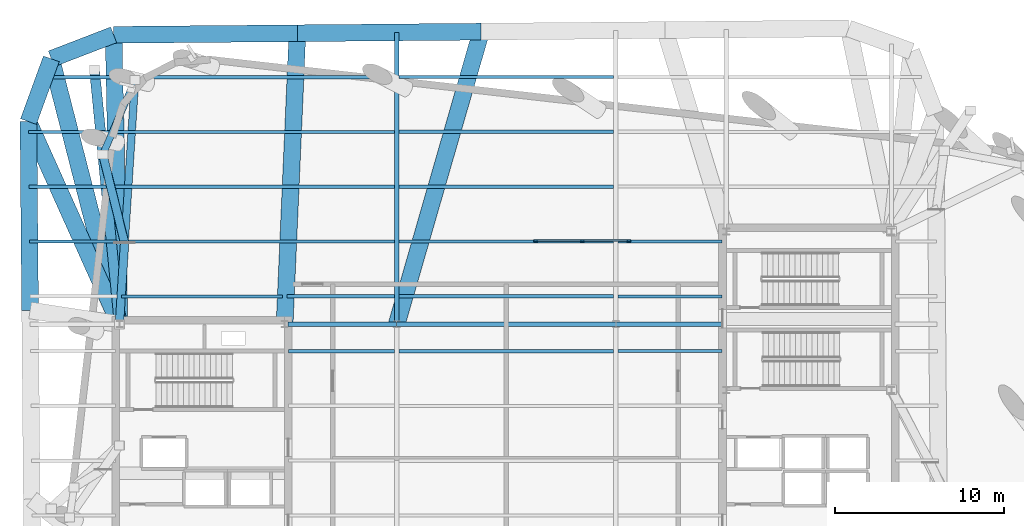
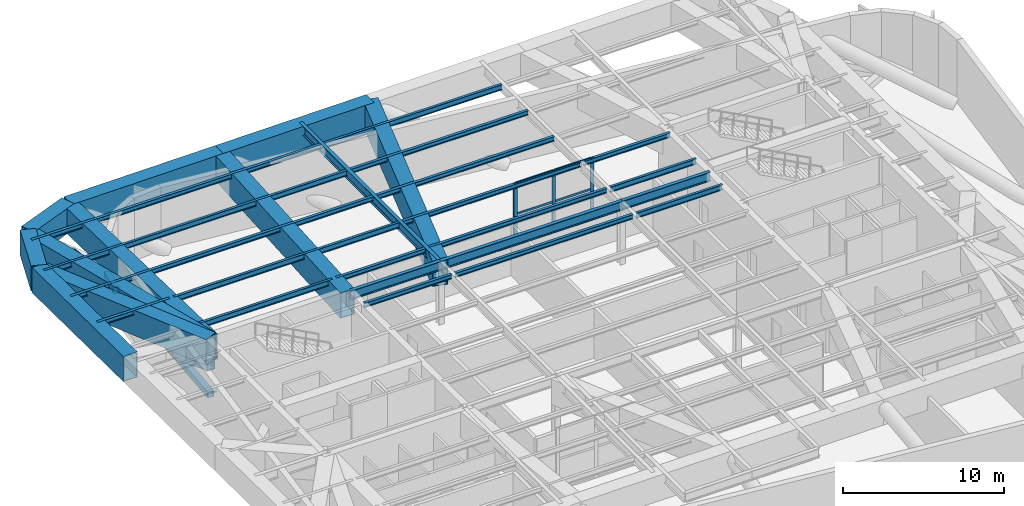
# One storey, part 5 of 12: 31 beams, 14 members, 1 element without a shape of its own.
"""IFC4 building model written with IfcOpenShell, lengths in metres."""

import ifcopenshell
import ifcopenshell.guid

model = None  # the IFC model being written
_history = None  # IfcOwnerHistory: only IFC2X3 demands one
_inside = {}  # id of a spatial element -> (the spatial element, [elements in it])
_under = {}  # id of a project, library or spatial element -> (it, [spatial elements below it])
_declared = {}  # id of a project -> (the project, [libraries it declares])
_typed = {}  # id of a type object -> (the type object, [elements of that type])
_made_of = {}  # id of a material, layer set ... -> (it, [elements and type objects made of it])


def new_model(schema):
    """Start an empty IFC model of exactly this schema.

    Asked for "IFC4X3", IfcOpenShell would pick the latest addendum, in which some entities
    have other attributes; the version numbers below select the first issue.
    IFC2X3 requires an IfcOwnerHistory on every rooted entity: one is made here for all.
    """
    global model, _history
    if schema == "IFC4X3":
        model = ifcopenshell.file(schema_version=(4, 3, 0, 0))
    else:
        model = ifcopenshell.file(schema=schema)
    _inside.clear()
    _under.clear()
    _declared.clear()
    _typed.clear()
    _made_of.clear()
    _history = None
    if model.schema == "IFC2X3":
        org = make("IfcOrganization", Name="unknown")
        user = make(
            "IfcPersonAndOrganization",
            ThePerson=make("IfcPerson", FamilyName="unknown"),
            TheOrganization=org,
        )
        app = make(
            "IfcApplication",
            ApplicationDeveloper=org,
            Version="unknown",
            ApplicationFullName="unknown",
            ApplicationIdentifier="unknown",
        )
        _history = make(
            "IfcOwnerHistory",
            OwningUser=user,
            OwningApplication=app,
            ChangeAction="ADDED",
            CreationDate=0,
        )
    return model


def make(cls, **values):
    """One entity of the class cls with the attributes given. An attribute that is None is left unset."""
    return model.create_entity(
        cls, **{name: value for name, value in values.items() if value is not None}
    )


def rooted(cls, **values):
    """An entity with a GlobalId (a new one), such as an element, a storey or a relation."""
    return make(cls, GlobalId=ifcopenshell.guid.new(), OwnerHistory=_history, **values)


def si_unit(unit_type, name, prefix=None):
    """IfcSIUnit, for example si_unit("LENGTHUNIT", "METRE", prefix="MILLI")."""
    return make("IfcSIUnit", UnitType=unit_type, Prefix=prefix, Name=name)


def assignment(units):
    """IfcUnitAssignment: the units of a project."""
    return None if units is None else make("IfcUnitAssignment", Units=units)


def point(xyz):
    """IfcCartesianPoint."""
    return None if xyz is None else make("IfcCartesianPoint", Coordinates=xyz)


def direction(xyz):
    """IfcDirection."""
    return None if xyz is None else make("IfcDirection", DirectionRatios=xyz)


def frame(location, z_axis=None, x_axis=None):
    """IfcAxis2Placement3D, a coordinate frame: its origin and axes. An axis left out is left unset."""
    return make(
        "IfcAxis2Placement3D",
        Location=point(location),
        Axis=direction(z_axis),
        RefDirection=direction(x_axis),
    )


def frame_2d(location, x_axis=None):
    """IfcAxis2Placement2D, a coordinate frame in the plane: its origin and x axis."""
    return make(
        "IfcAxis2Placement2D", Location=point(location), RefDirection=direction(x_axis)
    )


def origin():
    """The frame at (0, 0, 0) with its axes left unset."""
    return frame((0.0, 0.0, 0.0))


def origin_2d():
    """The frame at (0, 0) in the plane with its x axis left unset."""
    return frame_2d((0.0, 0.0))


def place(relative_to, where):
    """IfcLocalPlacement: puts the frame where relative to a parent placement (None: the world)."""
    return make(
        "IfcLocalPlacement", PlacementRelTo=relative_to, RelativePlacement=where
    )


def context(
    kind, dimensions, precision=None, world=None, true_north=None, identifier=None
):
    """IfcGeometricRepresentationContext, for example the 3D "Model" context."""
    return make(
        "IfcGeometricRepresentationContext",
        ContextIdentifier=identifier,
        ContextType=kind,
        CoordinateSpaceDimension=dimensions,
        Precision=precision,
        WorldCoordinateSystem=world,
        TrueNorth=true_north,
    )


def subcontext(parent, identifier, kind, view, scale=None):
    """IfcGeometricRepresentationSubContext, for example "Body" below "Model"."""
    return make(
        "IfcGeometricRepresentationSubContext",
        ContextIdentifier=identifier,
        ContextType=kind,
        ParentContext=parent,
        TargetScale=scale,
        TargetView=view,
    )


def project(units=None, contexts=None):
    """IfcProject with its units and contexts."""
    return rooted(
        "IfcProject",
        Name="project",
        RepresentationContexts=contexts,
        UnitsInContext=assignment(units),
    )


def spatial(cls, under=None, at=None, **own):
    """A site, building, storey or space (cls), placed at a placement, below another one or the project."""
    s = rooted(cls, ObjectPlacement=at, **own)
    if under is not None:
        _under.setdefault(under.id(), (under, []))[1].append(s)
    return s


def profile(cls, at=None, kind="AREA", **sizes):
    """A parametric profile (cls). Its sizes go by their IFC names, for example OverallWidth=200.0."""
    return make(cls, ProfileType=kind, Position=at, **sizes)


def rectangle(**sizes):
    """IfcRectangleProfileDef."""
    return profile("IfcRectangleProfileDef", **sizes)


def hollow_rectangle(**sizes):
    """IfcRectangleHollowProfileDef."""
    return profile("IfcRectangleHollowProfileDef", **sizes)


def hollow_circle(**sizes):
    """IfcCircleHollowProfileDef."""
    return profile("IfcCircleHollowProfileDef", **sizes)


def i_section(**sizes):
    """IfcIShapeProfileDef."""
    return profile("IfcIShapeProfileDef", **sizes)


def extrude(swept, where, along, depth):
    """IfcExtrudedAreaSolid: the profile swept, set in the frame where, extruded along a direction by depth."""
    return make(
        "IfcExtrudedAreaSolid",
        SweptArea=swept,
        Position=where,
        ExtrudedDirection=direction(along),
        Depth=depth,
    )


def shape(context_of_items, identifier, shape_type, items):
    """IfcShapeRepresentation: the items that make up one representation, for example the "Body"."""
    return make(
        "IfcShapeRepresentation",
        ContextOfItems=context_of_items,
        RepresentationIdentifier=identifier,
        RepresentationType=shape_type,
        Items=items,
    )


def material(Name=None, Category=None):
    """IfcMaterial."""
    return make("IfcMaterial", Name=Name, Category=Category)


def material_profile(
    of_material, cross_section, Name=None, Category=None, Priority=None
):
    """IfcMaterialProfile: a cross section and its material."""
    return make(
        "IfcMaterialProfile",
        Name=Name,
        Material=of_material,
        Profile=cross_section,
        Priority=Priority,
        Category=Category,
    )


def profile_set(profiles, Name=None, composite=None):
    """IfcMaterialProfileSet."""
    return make(
        "IfcMaterialProfileSet",
        Name=Name,
        MaterialProfiles=profiles,
        CompositeProfile=composite,
    )


def made_of(thing, what):
    """Note that an element or type object is made of a material, layer set ...; save() writes the relation."""
    if what is not None:
        _made_of.setdefault(what.id(), (what, []))[1].append(thing)
    return thing


def type_object(cls, material=None, **own):
    """A type object (cls), such as IfcWallType, which elements share."""
    return made_of(rooted(cls, **own), material)


def element(
    cls,
    number,
    at=None,
    inside=None,
    cuts=None,
    type_object=None,
    material=None,
    context=None,
    identifier="Body",
    shape_type=None,
    held_by="IfcProductDefinitionShape",
    body=None,
    shapes=None,
    **own,
):
    """One element of the class cls, such as IfcWall. Its Tag is "e" and its number.

    at: its placement. inside: the storey or other place that contains it. cuts: it is an
    opening in that element (IfcRelVoidsElement). A single representation is given by context,
    identifier, shape_type and body (its items); several are given by shapes. held_by: the class
    of the entity that holds the representations. save() writes the other relations.
    """
    e = rooted(cls, Tag="e%d" % number, ObjectPlacement=at, **own)
    if body is not None:
        shapes = [shape(context, identifier, shape_type, body)]
    if shapes is not None:
        e.Representation = make(held_by, Representations=shapes)
    if inside is not None:
        _inside.setdefault(inside.id(), (inside, []))[1].append(e)
    if cuts is not None:
        rooted(
            "IfcRelVoidsElement", RelatingBuildingElement=cuts, RelatedOpeningElement=e
        )
    if type_object is not None:
        _typed.setdefault(type_object.id(), (type_object, []))[1].append(e)
    return made_of(e, material)


def aggregate(whole, parts):
    """IfcRelAggregates: a whole, such as a stair, and the parts it consists of."""
    return rooted("IfcRelAggregates", RelatingObject=whole, RelatedObjects=parts)


def save(model, path):
    """Write the relations noted so far, then the file.

    IfcRelAggregates (storeys below a building ...), IfcRelContainedInSpatialStructure (elements
    in a storey), IfcRelDefinesByType, IfcRelAssociatesMaterial and IfcRelDeclares: one each for
    every whole, place, type object, material and project.
    """
    for whole, parts in _under.values():
        aggregate(whole, parts)
    for where, things in _inside.values():
        rooted(
            "IfcRelContainedInSpatialStructure",
            RelatedElements=things,
            RelatingStructure=where,
        )
    for kind, things in _typed.values():
        rooted("IfcRelDefinesByType", RelatedObjects=things, RelatingType=kind)
    for what, things in _made_of.values():
        rooted("IfcRelAssociatesMaterial", RelatedObjects=things, RelatingMaterial=what)
    for by, libraries in _declared.values():
        rooted("IfcRelDeclares", RelatingContext=by, RelatedDefinitions=libraries)
    model.write(path)


model = new_model("IFC4")

# Units and contexts
model_context = context("Model", 3, precision=1e-05, world=origin(), true_north=direction((0.0, 1.0)))
body_context = subcontext(model_context, "Body", "Model", "MODEL_VIEW")
ifc_project = project(units=[si_unit("LENGTHUNIT", "METRE"), si_unit("AREAUNIT", "SQUARE_METRE"), si_unit("VOLUMEUNIT", "CUBIC_METRE"), si_unit("PLANEANGLEUNIT", "RADIAN"), si_unit("MASSUNIT", "GRAM", prefix="KILO")], contexts=[model_context])

# Site, building, storey
site_placement = place(None, origin())
site = spatial("IfcSite", under=ifc_project, at=site_placement, CompositionType="ELEMENT")
building_placement = place(site_placement, origin())
building = spatial("IfcBuilding", under=site, at=building_placement, Name="Kolvaren Arena Tower", CompositionType="ELEMENT")
storey_placement = place(building_placement, frame((0.0, 0.0, 269.699951171875)))
storey = spatial("IfcBuildingStorey", under=building, at=storey_placement, Name="L66", CompositionType="ELEMENT", Elevation=269.699951171875)

# Beams
ifc_material_1 = material(Name="Steel CSA G40.21 350W", Category="steel")
ifc_material_profile_1 = material_profile(ifc_material_1, i_section(OverallWidth=0.180908203125, OverallDepth=0.4169921875, WebThickness=0.010986328125, FlangeThickness=0.018310546875, FilletRadius=0.011962890625, at=origin_2d()), Name="W410x85")
ifc_profile_set_1 = profile_set([ifc_material_profile_1], Name="Steel CSA G40.21 350W")
beam_type_1 = type_object("IfcBeamType", Name="BEAM-F3", PredefinedType="BEAM", material=ifc_profile_set_1)
beam_1_placement = place(storey_placement, frame((44.12744140625, 32.25, 4.54150390625), z_axis=(1.0, 0.0, 0.0), x_axis=(0.0, 1.0, 0.0)))
element("IfcBeam", 1, at=beam_1_placement, inside=storey, type_object=beam_type_1, Name="Composite Floor Beam (L66)", PredefinedType="BEAM", context=body_context, shape_type="SweptSolid", body=[
    extrude(i_section(OverallWidth=0.180908203125, OverallDepth=0.4169921875, WebThickness=0.010986328125, FlangeThickness=0.018310546875, FilletRadius=0.011962890625, at=origin_2d()), origin(), (0.0, 0.0, 1.0), 6.177490234375),
])
beam_2_placement = place(storey_placement, frame((14.677490234375, 35.5, 4.54150390625), z_axis=(1.0, 0.0, 0.0), x_axis=(0.0, 1.0, 0.0)))
element("IfcBeam", 2, at=beam_2_placement, inside=storey, type_object=beam_type_1, Name="Composite Floor Beam (L66)", PredefinedType="BEAM", context=body_context, shape_type="SweptSolid", body=[
    extrude(i_section(OverallWidth=0.180908203125, OverallDepth=0.4169921875, WebThickness=0.010986328125, FlangeThickness=0.018310546875, FilletRadius=0.011962890625, at=origin_2d()), origin(), (0.0, 0.0, 1.0), 9.544921875),
])
beam_3_placement = place(storey_placement, frame((44.12744140625, 35.5, 4.54150390625), z_axis=(1.0, 0.0, 0.0), x_axis=(0.0, 1.0, 0.0)))
element("IfcBeam", 3, at=beam_3_placement, inside=storey, type_object=beam_type_1, Name="Composite Floor Beam (L66)", PredefinedType="BEAM", context=body_context, shape_type="SweptSolid", body=[
    extrude(i_section(OverallWidth=0.180908203125, OverallDepth=0.4169921875, WebThickness=0.010986328125, FlangeThickness=0.018310546875, FilletRadius=0.011962890625, at=origin_2d()), origin(), (0.0, 0.0, 1.0), 6.177490234375),
])
beam_4_placement = place(storey_placement, frame((14.677490234375, 38.75, 4.54150390625), z_axis=(1.0, 0.0, 0.0), x_axis=(0.0, 1.0, 0.0)))
element("IfcBeam", 4, at=beam_4_placement, inside=storey, type_object=beam_type_1, Name="Composite Floor Beam (L66)", PredefinedType="BEAM", context=body_context, shape_type="SweptSolid", body=[
    extrude(i_section(OverallWidth=0.180908203125, OverallDepth=0.4169921875, WebThickness=0.010986328125, FlangeThickness=0.018310546875, FilletRadius=0.011962890625, at=origin_2d()), origin(), (0.0, 0.0, 1.0), 16.195068359375),
])
beam_5_placement = place(storey_placement, frame((9.159912109375, 45.25, 4.54150390625), z_axis=(1.0, 0.0, 0.0), x_axis=(0.0, 1.0, 0.0)))
element("IfcBeam", 5, at=beam_5_placement, inside=storey, type_object=beam_type_1, Name="Composite Floor Beam (L66)", PredefinedType="BEAM", context=body_context, shape_type="SweptSolid", body=[
    extrude(i_section(OverallWidth=0.180908203125, OverallDepth=0.4169921875, WebThickness=0.010986328125, FlangeThickness=0.018310546875, FilletRadius=0.011962890625, at=origin_2d()), origin(), (0.0, 0.0, 1.0), 21.712646484375),
])
beam_6_placement = place(storey_placement, frame((31.12744140625, 48.5, 4.54150390625), z_axis=(1.0, 0.0, 0.0), x_axis=(0.0, 1.0, 0.0)))
element("IfcBeam", 6, at=beam_6_placement, inside=storey, type_object=beam_type_1, Name="Composite Floor Beam (L66)", PredefinedType="BEAM", context=body_context, shape_type="SweptSolid", body=[
    extrude(i_section(OverallWidth=0.180908203125, OverallDepth=0.4169921875, WebThickness=0.010986328125, FlangeThickness=0.018310546875, FilletRadius=0.011962890625, at=origin_2d()), origin(), (0.0, 0.0, 1.0), 12.7451171875),
])

# Members
ifc_material_2 = material(Name="Steel CSA G40.21 350WT", Category="steel")
ifc_material_profile_2 = material_profile(ifc_material_2, hollow_rectangle(XDim=0.449951171875, YDim=0.449951171875, WallThickness=0.02001953125, at=origin_2d()), Name="HSS 450x450x20")
ifc_profile_set_2 = profile_set([ifc_material_profile_2], Name="Steel CSA G40.21 350WT")
member_type_1 = type_object("IfcMemberType", Name="BELT-CHORD", PredefinedType="CHORD", material=ifc_profile_set_2)
member_1_placement = place(storey_placement, frame((14.550048828125, 33.85009765625, 0.35009765625), z_axis=(0.063940535064, 0.997953710337, 0.0), x_axis=(-0.997953710337, 0.063940535064, 0.0)))
element("IfcMember", 7, at=member_1_placement, inside=storey, type_object=member_type_1, Name="Belt Truss Bottom Chord 2 (L66)", PredefinedType="CHORD", context=body_context, shape_type="SweptSolid", body=[
    extrude(hollow_rectangle(XDim=0.449951171875, YDim=0.449951171875, WallThickness=0.02001953125, at=origin_2d()), origin(), (0.0, 0.0, 1.0), 14.505615234375),
])
ifc_material_profile_3 = material_profile(ifc_material_2, hollow_rectangle(XDim=0.39990234375, YDim=0.39990234375, WallThickness=0.01611328125, at=origin_2d()), Name="HSS 400x400x16")
ifc_profile_set_3 = profile_set([ifc_material_profile_3], Name="Steel CSA G40.21 350WT")
member_type_2 = type_object("IfcMemberType", Name="BELT-DIAG", PredefinedType="BRACE", material=ifc_profile_set_3)
member_2_placement = place(storey_placement, frame((13.566162109375, 43.906982421875, 2.47998046875), z_axis=(0.363056724509, 0.839357097153, -0.404560846164), x_axis=(-0.91782058451, 0.39699543404, 0.0)))
element("IfcMember", 8, at=member_2_placement, inside=storey, type_object=member_type_2, Name="Belt Truss Warren Diagonal C 2 (L66)", PredefinedType="BRACE", context=body_context, shape_type="SweptSolid", body=[
    extrude(hollow_rectangle(XDim=0.39990234375, YDim=0.39990234375, WallThickness=0.01611328125, at=origin_2d()), origin(), (0.0, 0.0, 1.0), 5.2646484375),
])

# Curtain wall, members
ifc_material_3 = material(Name="Anodised aluminium unitised curtain wall", Category="aluminium")
curtain_wall_type = type_object("IfcCurtainWallType", Name="CW-SYS-05", PredefinedType="USERDEFINED", material=ifc_material_3)
curtain_wall_placement = place(storey_placement, origin())
curtain_wall = element("IfcCurtainWall", 9, at=curtain_wall_placement, inside=storey, type_object=curtain_wall_type, Name="Mechanical Plant Louvre Curtain Wall (L66)", ObjectType="ACOUSTIC LOUVRE SCREEN", PredefinedType="USERDEFINED")
ifc_material_4 = material(Name="Anodised aluminium 6063-T6", Category="aluminium")
ifc_material_profile_4 = material_profile(ifc_material_4, rectangle(XDim=0.10009765625, YDim=0.239990234375, at=origin_2d()), Name="ALU-100x240")
ifc_profile_set_4 = profile_set([ifc_material_profile_4], Name="Anodised aluminium 6063-T6")
member_type_3 = type_object("IfcMemberType", Name="CWM-HVY", PredefinedType="MULLION", material=ifc_profile_set_4)
member_3_placement = place(storey_placement, frame((39.25, 38.800048828125, 0.0), z_axis=(0.0, 0.0, 1.0), x_axis=(0.0, 1.0, 0.0)))
member_3 = element("IfcMember", 10, at=member_3_placement, type_object=member_type_3, Name="CW5 mullion 1", PredefinedType="MULLION", context=body_context, shape_type="SweptSolid", body=[
    extrude(rectangle(XDim=0.10009765625, YDim=0.239990234375, at=origin_2d()), origin(), (0.0, 0.0, 1.0), 4.75),
])
member_4_placement = place(storey_placement, frame((42.0, 38.800048828125, 0.0), z_axis=(0.0, 0.0, 1.0), x_axis=(0.0, 1.0, 0.0)))
member_4 = element("IfcMember", 11, at=member_4_placement, type_object=member_type_3, Name="CW5 mullion 2", PredefinedType="MULLION", context=body_context, shape_type="SweptSolid", body=[
    extrude(rectangle(XDim=0.10009765625, YDim=0.239990234375, at=origin_2d()), origin(), (0.0, 0.0, 1.0), 4.75),
])
member_5_placement = place(storey_placement, frame((44.75, 38.800048828125, 0.0), z_axis=(0.0, 0.0, 1.0), x_axis=(0.0, 1.0, 0.0)))
member_5 = element("IfcMember", 12, at=member_5_placement, type_object=member_type_3, Name="CW5 mullion 3", PredefinedType="MULLION", context=body_context, shape_type="SweptSolid", body=[
    extrude(rectangle(XDim=0.10009765625, YDim=0.239990234375, at=origin_2d()), origin(), (0.0, 0.0, 1.0), 4.75),
])
ifc_material_profile_5 = material_profile(ifc_material_4, rectangle(XDim=0.080078125, YDim=0.14990234375, at=origin_2d()), Name="ALU-80x150")
ifc_profile_set_5 = profile_set([ifc_material_profile_5], Name="Anodised aluminium 6063-T6")
member_type_4 = type_object("IfcMemberType", Name="CWT-STD", PredefinedType="USERDEFINED", material=ifc_profile_set_5)
member_6_placement = place(storey_placement, frame((39.300048828125, 38.800048828125, 0.0400390625), z_axis=(1.0, 0.0, 0.0), x_axis=(0.0, 1.0, 0.0)))
member_6 = element("IfcMember", 13, at=member_6_placement, type_object=member_type_4, Name="CW5 transom 1.1", ObjectType="TRANSOM", PredefinedType="USERDEFINED", context=body_context, shape_type="SweptSolid", body=[
    extrude(rectangle(XDim=0.080078125, YDim=0.14990234375, at=origin_2d()), origin(), (0.0, 0.0, 1.0), 2.64990234375),
])
member_7_placement = place(storey_placement, frame((39.300048828125, 38.800048828125, 2.375), z_axis=(1.0, 0.0, 0.0), x_axis=(0.0, 1.0, 0.0)))
member_7 = element("IfcMember", 14, at=member_7_placement, type_object=member_type_4, Name="CW5 transom 1.2", ObjectType="TRANSOM", PredefinedType="USERDEFINED", context=body_context, shape_type="SweptSolid", body=[
    extrude(rectangle(XDim=0.080078125, YDim=0.14990234375, at=origin_2d()), origin(), (0.0, 0.0, 1.0), 2.64990234375),
])
member_8_placement = place(storey_placement, frame((39.300048828125, 38.800048828125, 4.7099609375), z_axis=(1.0, 0.0, 0.0), x_axis=(0.0, 1.0, 0.0)))
member_8 = element("IfcMember", 15, at=member_8_placement, type_object=member_type_4, Name="CW5 transom 1.3", ObjectType="TRANSOM", PredefinedType="USERDEFINED", context=body_context, shape_type="SweptSolid", body=[
    extrude(rectangle(XDim=0.080078125, YDim=0.14990234375, at=origin_2d()), origin(), (0.0, 0.0, 1.0), 2.64990234375),
])
member_9_placement = place(storey_placement, frame((42.050048828125, 38.800048828125, 0.0400390625), z_axis=(1.0, 0.0, 0.0), x_axis=(0.0, 1.0, 0.0)))
member_9 = element("IfcMember", 16, at=member_9_placement, type_object=member_type_4, Name="CW5 transom 2.1", ObjectType="TRANSOM", PredefinedType="USERDEFINED", context=body_context, shape_type="SweptSolid", body=[
    extrude(rectangle(XDim=0.080078125, YDim=0.14990234375, at=origin_2d()), origin(), (0.0, 0.0, 1.0), 2.64990234375),
])
member_10_placement = place(storey_placement, frame((42.050048828125, 38.800048828125, 2.375), z_axis=(1.0, 0.0, 0.0), x_axis=(0.0, 1.0, 0.0)))
member_10 = element("IfcMember", 17, at=member_10_placement, type_object=member_type_4, Name="CW5 transom 2.2", ObjectType="TRANSOM", PredefinedType="USERDEFINED", context=body_context, shape_type="SweptSolid", body=[
    extrude(rectangle(XDim=0.080078125, YDim=0.14990234375, at=origin_2d()), origin(), (0.0, 0.0, 1.0), 2.64990234375),
])
member_11_placement = place(storey_placement, frame((42.050048828125, 38.800048828125, 4.7099609375), z_axis=(1.0, 0.0, 0.0), x_axis=(0.0, 1.0, 0.0)))
member_11 = element("IfcMember", 18, at=member_11_placement, type_object=member_type_4, Name="CW5 transom 2.3", ObjectType="TRANSOM", PredefinedType="USERDEFINED", context=body_context, shape_type="SweptSolid", body=[
    extrude(rectangle(XDim=0.080078125, YDim=0.14990234375, at=origin_2d()), origin(), (0.0, 0.0, 1.0), 2.64990234375),
])
aggregate(curtain_wall, [member_3, member_4, member_5, member_6, member_7, member_8, member_9, member_10, member_11])

# Member
ifc_material_profile_6 = material_profile(ifc_material_2, hollow_circle(Radius=0.25390625, WallThickness=0.02490234375, at=origin_2d()), Name="CHS 508x25")
ifc_profile_set_6 = profile_set([ifc_material_profile_6], Name="Steel CSA G40.21 350WT")
member_type_5 = type_object("IfcMemberType", Name="EXO-BRACE1", PredefinedType="BRACE", material=ifc_profile_set_6)
member_12_placement = place(storey_placement, frame((14.859130859375, 38.67529296875, 0.35009765625), z_axis=(-0.223128891482, 0.902837805056, 0.367555976075), x_axis=(-0.97079187711, -0.239923177991, 0.0)))
element("IfcMember", 19, at=member_12_placement, inside=storey, type_object=member_type_5, Name="Outrigger Warren Diagonal B 2 (L66)", PredefinedType="BRACE", context=body_context, shape_type="SweptSolid", body=[
    extrude(hollow_circle(Radius=0.25390625, WallThickness=0.02490234375, at=origin_2d()), origin(), (0.0, 0.0, 1.0), 5.794677734375),
])

# Beams
ifc_material_profile_7 = material_profile(ifc_material_1, i_section(OverallWidth=0.2548828125, OverallDepth=0.695068359375, WebThickness=0.01708984375, FlangeThickness=0.02978515625, FilletRadius=0.01611328125, at=origin_2d()), Name="W690x217")
ifc_profile_set_7 = profile_set([ifc_material_profile_7], Name="Steel CSA G40.21 350W")
beam_type_2 = type_object("IfcBeamType", Name="GIRD-T2", PredefinedType="BEAM", material=ifc_profile_set_7)
beam_7_placement = place(storey_placement, frame((24.554931640625, 33.85009765625, 4.402587890625), z_axis=(1.0, 0.0, 0.0), x_axis=(0.0, 1.0, 0.0)))
element("IfcBeam", 20, at=beam_7_placement, inside=storey, type_object=beam_type_2, Name="Primary Floor Girder (L66)", PredefinedType="BEAM", context=body_context, shape_type="SweptSolid", body=[
    extrude(i_section(OverallWidth=0.2548828125, OverallDepth=0.695068359375, WebThickness=0.01708984375, FlangeThickness=0.02978515625, FilletRadius=0.01611328125, at=origin_2d()), origin(), (0.0, 0.0, 1.0), 6.445068359375),
])
beam_8_placement = place(storey_placement, frame((31.0, 33.85009765625, 4.402587890625), z_axis=(1.0, 0.0, 0.0), x_axis=(0.0, 1.0, 0.0)))
element("IfcBeam", 21, at=beam_8_placement, inside=storey, type_object=beam_type_2, Name="Primary Floor Girder (L66)", PredefinedType="BEAM", context=body_context, shape_type="SweptSolid", body=[
    extrude(i_section(OverallWidth=0.2548828125, OverallDepth=0.695068359375, WebThickness=0.01708984375, FlangeThickness=0.02978515625, FilletRadius=0.01611328125, at=origin_2d()), origin(), (0.0, 0.0, 1.0), 13.0),
])
beam_9_placement = place(storey_placement, frame((44.0, 33.85009765625, 4.402587890625), z_axis=(1.0, 0.0, 0.0), x_axis=(0.0, 1.0, 0.0)))
element("IfcBeam", 22, at=beam_9_placement, inside=storey, type_object=beam_type_2, Name="Primary Floor Girder (L66)", PredefinedType="BEAM", context=body_context, shape_type="SweptSolid", body=[
    extrude(i_section(OverallWidth=0.2548828125, OverallDepth=0.695068359375, WebThickness=0.01708984375, FlangeThickness=0.02978515625, FilletRadius=0.01611328125, at=origin_2d()), origin(), (0.0, 0.0, 1.0), 6.344970703125),
])
beam_10_placement = place(storey_placement, frame((31.0, 33.85009765625, 4.402587890625), z_axis=(0.0, 1.0, 0.0), x_axis=(-1.0, 0.0, 0.0)))
element("IfcBeam", 23, at=beam_10_placement, inside=storey, type_object=beam_type_2, Name="Primary Floor Girder (L66)", PredefinedType="BEAM", context=body_context, shape_type="SweptSolid", body=[
    extrude(i_section(OverallWidth=0.2548828125, OverallDepth=0.695068359375, WebThickness=0.01708984375, FlangeThickness=0.02978515625, FilletRadius=0.01611328125, at=origin_2d()), origin(), (0.0, 0.0, 1.0), 17.305419921875),
])
ifc_material_profile_8 = material_profile(ifc_material_1, i_section(OverallWidth=0.202880859375, OverallDepth=0.346923828125, WebThickness=0.0078125, FlangeThickness=0.013427734375, FilletRadius=0.010986328125, at=origin_2d()), Name="W360x64")
ifc_profile_set_8 = profile_set([ifc_material_profile_8], Name="Steel CSA G40.21 350W")
beam_type_3 = type_object("IfcBeamType", Name="JOIST-01", PredefinedType="JOIST", material=ifc_profile_set_8)
beam_11_placement = place(storey_placement, frame((24.594970703125, 32.25, 4.57666015625), z_axis=(1.0, 0.0, 0.0), x_axis=(0.0, 1.0, 0.0)))
element("IfcBeam", 24, at=beam_11_placement, inside=storey, type_object=beam_type_3, Name="Composite Floor Joist (L66)", PredefinedType="JOIST", context=body_context, shape_type="SweptSolid", body=[
    extrude(i_section(OverallWidth=0.202880859375, OverallDepth=0.346923828125, WebThickness=0.0078125, FlangeThickness=0.013427734375, FilletRadius=0.010986328125, at=origin_2d()), origin(), (0.0, 0.0, 1.0), 6.277587890625),
])
beam_12_placement = place(storey_placement, frame((31.12744140625, 32.25, 4.57666015625), z_axis=(1.0, 0.0, 0.0), x_axis=(0.0, 1.0, 0.0)))
element("IfcBeam", 25, at=beam_12_placement, inside=storey, type_object=beam_type_3, Name="Composite Floor Joist (L66)", PredefinedType="JOIST", context=body_context, shape_type="SweptSolid", body=[
    extrude(i_section(OverallWidth=0.202880859375, OverallDepth=0.346923828125, WebThickness=0.0078125, FlangeThickness=0.013427734375, FilletRadius=0.010986328125, at=origin_2d()), origin(), (0.0, 0.0, 1.0), 12.7451171875),
])
beam_13_placement = place(storey_placement, frame((24.4775390625, 35.5, 4.57666015625), z_axis=(1.0, 0.0, 0.0), x_axis=(0.0, 1.0, 0.0)))
element("IfcBeam", 26, at=beam_13_placement, inside=storey, type_object=beam_type_3, Name="Composite Floor Joist (L66)", PredefinedType="JOIST", context=body_context, shape_type="SweptSolid", body=[
    extrude(i_section(OverallWidth=0.202880859375, OverallDepth=0.346923828125, WebThickness=0.0078125, FlangeThickness=0.013427734375, FilletRadius=0.010986328125, at=origin_2d()), origin(), (0.0, 0.0, 1.0), 6.39501953125),
])
beam_14_placement = place(storey_placement, frame((31.12744140625, 35.5, 4.57666015625), z_axis=(1.0, 0.0, 0.0), x_axis=(0.0, 1.0, 0.0)))
element("IfcBeam", 27, at=beam_14_placement, inside=storey, type_object=beam_type_3, Name="Composite Floor Joist (L66)", PredefinedType="JOIST", context=body_context, shape_type="SweptSolid", body=[
    extrude(i_section(OverallWidth=0.202880859375, OverallDepth=0.346923828125, WebThickness=0.0078125, FlangeThickness=0.013427734375, FilletRadius=0.010986328125, at=origin_2d()), origin(), (0.0, 0.0, 1.0), 12.7451171875),
])
beam_15_placement = place(storey_placement, frame((9.216552734375, 38.75, 4.57666015625), z_axis=(1.0, 0.0, 0.0), x_axis=(0.0, 1.0, 0.0)))
element("IfcBeam", 28, at=beam_15_placement, inside=storey, type_object=beam_type_3, Name="Composite Floor Joist (L66)", PredefinedType="JOIST", context=body_context, shape_type="SweptSolid", body=[
    extrude(i_section(OverallWidth=0.202880859375, OverallDepth=0.346923828125, WebThickness=0.0078125, FlangeThickness=0.013427734375, FilletRadius=0.010986328125, at=origin_2d()), origin(), (0.0, 0.0, 1.0), 5.2060546875),
])
beam_16_placement = place(storey_placement, frame((31.12744140625, 38.75, 4.57666015625), z_axis=(1.0, 0.0, 0.0), x_axis=(0.0, 1.0, 0.0)))
element("IfcBeam", 29, at=beam_16_placement, inside=storey, type_object=beam_type_3, Name="Composite Floor Joist (L66)", PredefinedType="JOIST", context=body_context, shape_type="SweptSolid", body=[
    extrude(i_section(OverallWidth=0.202880859375, OverallDepth=0.346923828125, WebThickness=0.0078125, FlangeThickness=0.013427734375, FilletRadius=0.010986328125, at=origin_2d()), origin(), (0.0, 0.0, 1.0), 12.7451171875),
])
beam_17_placement = place(storey_placement, frame((44.12744140625, 38.75, 4.57666015625), z_axis=(1.0, 0.0, 0.0), x_axis=(0.0, 1.0, 0.0)))
element("IfcBeam", 30, at=beam_17_placement, inside=storey, type_object=beam_type_3, Name="Composite Floor Joist (L66)", PredefinedType="JOIST", context=body_context, shape_type="SweptSolid", body=[
    extrude(i_section(OverallWidth=0.202880859375, OverallDepth=0.346923828125, WebThickness=0.0078125, FlangeThickness=0.013427734375, FilletRadius=0.010986328125, at=origin_2d()), origin(), (0.0, 0.0, 1.0), 6.177490234375),
])
beam_18_placement = place(storey_placement, frame((9.18798828125, 42.0, 4.57666015625), z_axis=(1.0, 0.0, 0.0), x_axis=(0.0, 1.0, 0.0)))
element("IfcBeam", 31, at=beam_18_placement, inside=storey, type_object=beam_type_3, Name="Composite Floor Joist (L66)", PredefinedType="JOIST", context=body_context, shape_type="SweptSolid", body=[
    extrude(i_section(OverallWidth=0.202880859375, OverallDepth=0.346923828125, WebThickness=0.0078125, FlangeThickness=0.013427734375, FilletRadius=0.010986328125, at=origin_2d()), origin(), (0.0, 0.0, 1.0), 21.6845703125),
])
for number, where, z_axis, x_axis, name in (
    (32, (31.12744140625, 42.0, 4.57666015625), (1.0, 0.0, 0.0), (0.0, 1.0, 0.0), "Composite Floor Joist (L66)"),
    (33, (31.12744140625, 45.25, 4.57666015625), (1.0, 0.0, 0.0), (0.0, 1.0, 0.0), "Composite Floor Joist (L66)"),
):
    element("IfcBeam", number, at=place(storey_placement, frame(where, z_axis=z_axis, x_axis=x_axis)), inside=storey, type_object=beam_type_3, Name=name, PredefinedType="JOIST", context=body_context, shape_type="SweptSolid", body=[
        extrude(i_section(OverallWidth=0.202880859375, OverallDepth=0.346923828125, WebThickness=0.0078125, FlangeThickness=0.013427734375, FilletRadius=0.010986328125, at=origin_2d()), origin(), (0.0, 0.0, 1.0), 12.7451171875),
    ])
beam_19_placement = place(storey_placement, frame((10.11669921875, 48.5, 4.57666015625), z_axis=(1.0, 0.0, 0.0), x_axis=(0.0, 1.0, 0.0)))
element("IfcBeam", 34, at=beam_19_placement, inside=storey, type_object=beam_type_3, Name="Composite Floor Joist (L66)", PredefinedType="JOIST", context=body_context, shape_type="SweptSolid", body=[
    extrude(i_section(OverallWidth=0.202880859375, OverallDepth=0.346923828125, WebThickness=0.0078125, FlangeThickness=0.013427734375, FilletRadius=0.010986328125, at=origin_2d()), origin(), (0.0, 0.0, 1.0), 20.755859375),
])

# Members
ifc_material_profile_9 = material_profile(ifc_material_2, hollow_rectangle(XDim=0.60009765625, YDim=0.60009765625, WallThickness=0.02490234375, at=origin_2d()), Name="HSS 600x600x25")
ifc_profile_set_9 = profile_set([ifc_material_profile_9], Name="Steel CSA G40.21 350WT")
member_type_6 = type_object("IfcMemberType", Name="OUT-CHORD", PredefinedType="CHORD", material=ifc_profile_set_9)
member_13_placement = place(storey_placement, frame((14.550048828125, 33.85009765625, 2.47998046875), z_axis=(-0.097366527544, 0.995248591717, 0.0), x_axis=(-0.995248591717, -0.097366527544, 0.0)))
element("IfcMember", 35, at=member_13_placement, inside=storey, type_object=member_type_6, Name="Outrigger Top Chord 2 (L66)", PredefinedType="CHORD", context=body_context, shape_type="SweptSolid", body=[
    extrude(hollow_rectangle(XDim=0.60009765625, YDim=0.60009765625, WallThickness=0.02490234375, at=origin_2d()), origin(), (0.0, 0.0, 1.0), 15.157470703125),
])
ifc_material_profile_10 = material_profile(ifc_material_2, hollow_rectangle(XDim=0.5, YDim=0.5, WallThickness=0.02197265625, at=origin_2d()), Name="HSS 500x500x22")
ifc_profile_set_10 = profile_set([ifc_material_profile_10], Name="Steel CSA G40.21 350WT")
member_type_7 = type_object("IfcMemberType", Name="OUT-DIAG", PredefinedType="BRACE", material=ifc_profile_set_10)
member_14_placement = place(storey_placement, frame((14.550048828125, 33.85009765625, 2.47998046875), z_axis=(0.058500459852, 0.913272581765, -0.403126391587), x_axis=(-0.997954715394, 0.063924846675, 0.0)))
element("IfcMember", 36, at=member_14_placement, inside=storey, type_object=member_type_7, Name="Outrigger Warren Diagonal A 2 (L66)", PredefinedType="BRACE", context=body_context, shape_type="SweptSolid", body=[
    extrude(hollow_rectangle(XDim=0.5, YDim=0.5, WallThickness=0.02197265625, at=origin_2d()), origin(), (0.0, 0.0, 1.0), 5.283447265625),
])

# Beams
ifc_material_profile_11 = material_profile(ifc_material_2, hollow_rectangle(XDim=1.0, YDim=1.919921875, WallThickness=0.044921875, at=origin_2d()), Name="BOX 1000x1920x45")
ifc_profile_set_11 = profile_set([ifc_material_profile_11], Name="Steel CSA G40.21 350WT")
beam_type_4 = type_object("IfcBeamType", Name="TG-MEGA", PredefinedType="USERDEFINED", material=ifc_profile_set_11)
beam_20_placement = place(storey_placement, frame((36.0087890625, 51.19921875, 3.7900390625), z_axis=(-0.999961845289, -0.008735443053, 0.0), x_axis=(0.008735443053, -0.999961845289, 0.0)))
element("IfcBeam", 37, at=beam_20_placement, inside=storey, type_object=beam_type_4, Name="Perimeter Transfer Ring Girder 14 (L66)", ObjectType="TRANSFER GIRDER", PredefinedType="USERDEFINED", context=body_context, shape_type="SweptSolid", body=[
    extrude(hollow_rectangle(XDim=1.0, YDim=1.919921875, WallThickness=0.044921875, at=origin_2d()), origin(), (0.0, 0.0, 1.0), 10.89990234375),
])
beam_21_placement = place(storey_placement, frame((36.0087890625, 51.19921875, 3.7900390625), z_axis=(-0.27737714955, -0.960761113341, 0.0), x_axis=(0.960761113341, -0.27737714955, 0.0)))
element("IfcBeam", 38, at=beam_21_placement, inside=storey, type_object=beam_type_4, Name="Cantilever Block Transfer Girder 14 (L66)", ObjectType="TRANSFER GIRDER", PredefinedType="USERDEFINED", context=body_context, shape_type="SweptSolid", body=[
    extrude(hollow_rectangle(XDim=1.0, YDim=1.919921875, WallThickness=0.044921875, at=origin_2d()), origin(), (0.0, 0.0, 1.0), 18.0576171875),
])
beam_22_placement = place(storey_placement, frame((25.109375, 51.10400390625, 3.7900390625), z_axis=(-0.999961846999, -0.008735247404, 0.0), x_axis=(0.008735247404, -0.999961846999, 0.0)))
element("IfcBeam", 39, at=beam_22_placement, inside=storey, type_object=beam_type_4, Name="Perimeter Transfer Ring Girder 15 (L66)", ObjectType="TRANSFER GIRDER", PredefinedType="USERDEFINED", context=body_context, shape_type="SweptSolid", body=[
    extrude(hollow_rectangle(XDim=1.0, YDim=1.919921875, WallThickness=0.044921875, at=origin_2d()), origin(), (0.0, 0.0, 1.0), 10.900146484375),
])
beam_23_placement = place(storey_placement, frame((25.109375, 51.10400390625, 3.7900390625), z_axis=(-0.043963564779, -0.999033135072, 0.0), x_axis=(0.999033135072, -0.043963564779, 0.0)))
element("IfcBeam", 40, at=beam_23_placement, inside=storey, type_object=beam_type_4, Name="Cantilever Block Transfer Girder 15 (L66)", ObjectType="TRANSFER GIRDER", PredefinedType="USERDEFINED", context=body_context, shape_type="SweptSolid", body=[
    extrude(hollow_rectangle(XDim=1.0, YDim=1.919921875, WallThickness=0.044921875, at=origin_2d()), origin(), (0.0, 0.0, 1.0), 17.2705078125),
])
beam_24_placement = place(storey_placement, frame((14.209716796875, 51.0087890625, 3.7900390625), z_axis=(-0.933210515777, -0.359330117362, 0.0), x_axis=(0.359330117362, -0.933210515777, 0.0)))
element("IfcBeam", 41, at=beam_24_placement, inside=storey, type_object=beam_type_4, Name="Perimeter Transfer Ring Girder 16 (L66)", ObjectType="TRANSFER GIRDER", PredefinedType="USERDEFINED", context=body_context, shape_type="SweptSolid", body=[
    extrude(hollow_rectangle(XDim=1.0, YDim=1.919921875, WallThickness=0.044921875, at=origin_2d()), origin(), (0.0, 0.0, 1.0), 3.961181640625),
])
beam_25_placement = place(storey_placement, frame((14.209716796875, 51.0087890625, 3.7900390625), z_axis=(0.019830481193, -0.999803356674, 0.0), x_axis=(0.999803356674, 0.019830481193, 0.0)))
element("IfcBeam", 42, at=beam_25_placement, inside=storey, type_object=beam_type_4, Name="Cantilever Block Transfer Girder 16 (L66)", ObjectType="TRANSFER GIRDER", PredefinedType="USERDEFINED", context=body_context, shape_type="SweptSolid", body=[
    extrude(hollow_rectangle(XDim=1.0, YDim=1.919921875, WallThickness=0.044921875, at=origin_2d()), origin(), (0.0, 0.0, 1.0), 17.162109375),
])
beam_26_placement = place(storey_placement, frame((10.51318359375, 49.58544921875, 3.7900390625), z_axis=(-0.343039242335, -0.939321073019, 0.0), x_axis=(0.939321073019, -0.343039242335, 0.0)))
element("IfcBeam", 43, at=beam_26_placement, inside=storey, type_object=beam_type_4, Name="Perimeter Transfer Ring Girder 17 (L66)", ObjectType="TRANSFER GIRDER", PredefinedType="USERDEFINED", context=body_context, shape_type="SweptSolid", body=[
    extrude(hollow_rectangle(XDim=1.0, YDim=1.919921875, WallThickness=0.044921875, at=origin_2d()), origin(), (0.0, 0.0, 1.0), 3.96142578125),
])
beam_27_placement = place(storey_placement, frame((10.51318359375, 49.58544921875, 3.7900390625), z_axis=(0.248500093178, -0.968631872122, 0.0), x_axis=(0.968631872122, 0.248500093178, 0.0)))
element("IfcBeam", 44, at=beam_27_placement, inside=storey, type_object=beam_type_4, Name="Cantilever Block Transfer Girder 17 (L66)", ObjectType="TRANSFER GIRDER", PredefinedType="USERDEFINED", context=body_context, shape_type="SweptSolid", body=[
    extrude(hollow_rectangle(XDim=1.0, YDim=1.919921875, WallThickness=0.044921875, at=origin_2d()), origin(), (0.0, 0.0, 1.0), 16.244873046875),
])
beam_28_placement = place(storey_placement, frame((9.154296875, 45.864501953125, 3.7900390625), z_axis=(0.008741191547, -0.999961795055, 0.0), x_axis=(0.999961795055, 0.008741191547, 0.0)))
element("IfcBeam", 45, at=beam_28_placement, inside=storey, type_object=beam_type_4, Name="Perimeter Transfer Ring Girder 18 (L66)", ObjectType="TRANSFER GIRDER", PredefinedType="USERDEFINED", context=body_context, shape_type="SweptSolid", body=[
    extrude(hollow_rectangle(XDim=1.0, YDim=1.919921875, WallThickness=0.044921875, at=origin_2d()), origin(), (0.0, 0.0, 1.0), 11.199951171875),
])
beam_29_placement = place(storey_placement, frame((9.154296875, 45.864501953125, 3.7900390625), z_axis=(0.409687056566, -0.912226131879, 0.0), x_axis=(0.912226131879, 0.409687056566, 0.0)))
element("IfcBeam", 46, at=beam_29_placement, inside=storey, type_object=beam_type_4, Name="Cantilever Block Transfer Girder 18 (L66)", ObjectType="TRANSFER GIRDER", PredefinedType="USERDEFINED", context=body_context, shape_type="SweptSolid", body=[
    extrude(hollow_rectangle(XDim=1.0, YDim=1.919921875, WallThickness=0.044921875, at=origin_2d()), origin(), (0.0, 0.0, 1.0), 13.17041015625),
])

save(model, "model.ifc")
